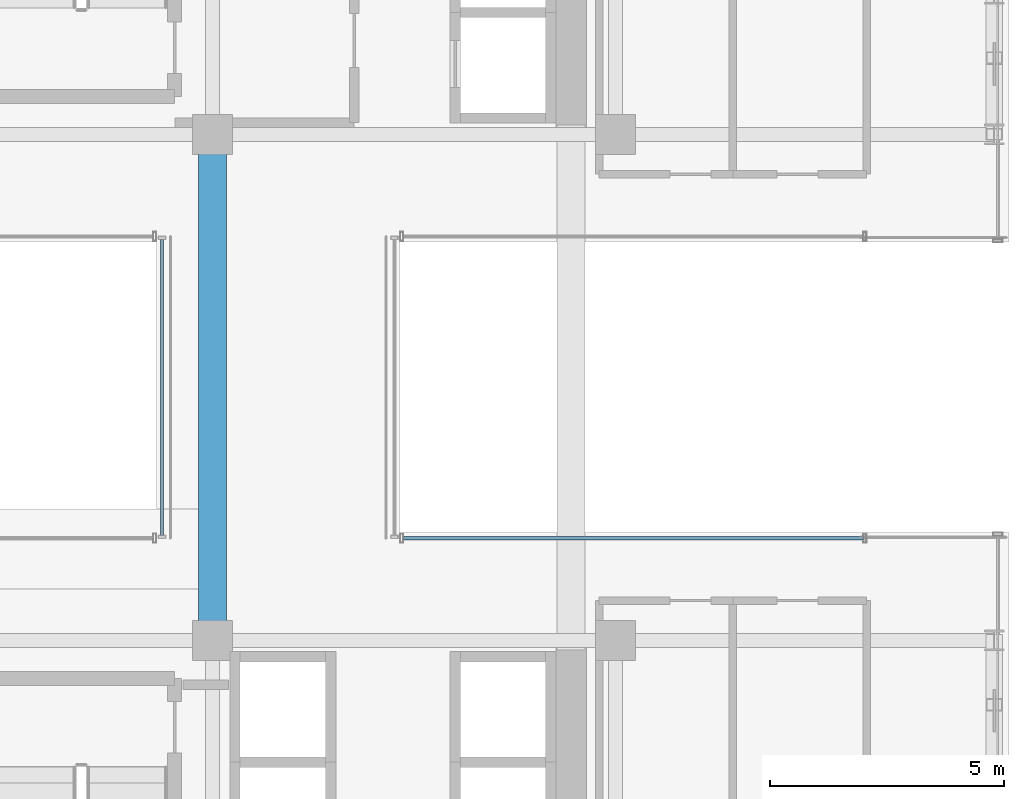
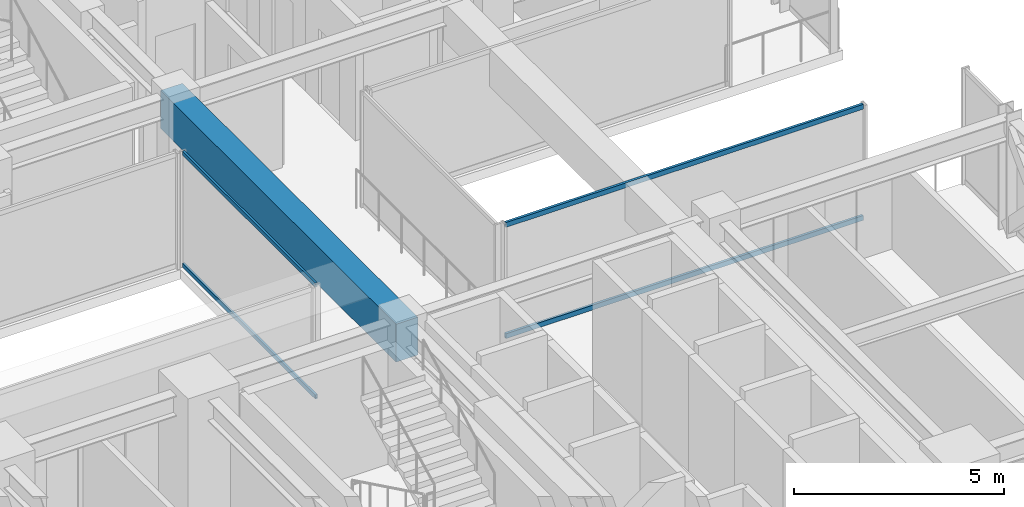
# One storey, part 19 of 42: 4 members, 1 beam, 2 elements without a shape of their own.
"""IFC4 building model written with IfcOpenShell, lengths in metres."""

from ifc_helpers import new_model, si_unit, direction, frame, origin, origin_2d, place, context, subcontext, project, spatial, rectangle, hollow_rectangle, extrude, source, transform, mapped, material, material_profile, profile_set, type_object, element, aggregate, save


model = new_model("IFC4")

# Units and contexts
model_context = context("Model", 3, precision=1e-05, world=origin(), true_north=direction((0.0, 1.0)))
body_context = subcontext(model_context, "Body", "Model", "MODEL_VIEW")
ifc_project = project(units=[si_unit("LENGTHUNIT", "METRE"), si_unit("AREAUNIT", "SQUARE_METRE"), si_unit("VOLUMEUNIT", "CUBIC_METRE"), si_unit("PLANEANGLEUNIT", "RADIAN"), si_unit("MASSUNIT", "GRAM", prefix="KILO")], contexts=[model_context])

# Site, building, storey
site_placement = place(None, origin())
site = spatial("IfcSite", under=ifc_project, at=site_placement, CompositionType="ELEMENT")
building_placement = place(site_placement, origin())
building = spatial("IfcBuilding", under=site, at=building_placement, Name="Nahalor Promenade Grand Hotel", CompositionType="ELEMENT")
storey_placement = place(building_placement, frame((0.0, 0.0, 61.60009765625)))
storey = spatial("IfcBuildingStorey", under=building, at=storey_placement, Name="L14", CompositionType="ELEMENT", Elevation=61.60009765625)

# Beam
ifc_material_1 = material(Name="Concrete B-60 (C50/60)", Category="concrete")
ifc_material_profile_1 = material_profile(ifc_material_1, rectangle(XDim=0.6, YDim=1.1, at=origin_2d()), Name="RC 600x1100")
ifc_profile_set_1 = profile_set([ifc_material_profile_1], Name="Concrete B-60 (C50/60)")
beam_type = type_object("IfcBeamType", Name="Beam-Lintel-RC1100", PredefinedType="LINTEL", material=ifc_profile_set_1)
shared_shape_1 = source(origin(), body_context, "Body", "SweptSolid", [
    extrude(rectangle(XDim=0.6, YDim=1.1, at=origin_2d()), origin(), (0.0, 0.0, 1.0), 11.2001953125),
])
beam_placement = place(storey_placement, frame((8.39990234375, -5.60009765625, 2.81982421875), z_axis=(0.0, 1.0, 0.0), x_axis=(-1.0, 0.0, 0.0)))
element("IfcBeam", 1, at=beam_placement, inside=storey, type_object=beam_type, Name="BM-L14-LINT-W", PredefinedType="LINTEL", context=body_context, shape_type="MappedRepresentation", body=[
    mapped(shared_shape_1, transform((0.0, 0.0, 0.0), scale=1.0)),
])

# Curtain wall, members
ifc_material_2 = material(Name="Anodised Bronze Aluminium EN AW-6063 T6", Category="aluminium")
curtain_wall_type_1 = type_object("IfcCurtainWallType", Name="CW3 Elliptical-Void Collar Unitised Curtain Wall", PredefinedType="USERDEFINED", material=ifc_material_2)
curtain_wall_1_placement = place(storey_placement, origin())
curtain_wall_1 = element("IfcCurtainWall", 2, at=curtain_wall_1_placement, inside=storey, type_object=curtain_wall_type_1, Name="L14 Curtain Wall CW-L14-VOID-ES1", ObjectType="UNITISED_CURTAIN_WALL", PredefinedType="USERDEFINED")
ifc_material_profile_2 = material_profile(ifc_material_2, hollow_rectangle(XDim=0.07, YDim=0.14, WallThickness=0.004, at=origin_2d()), Name="CWT 70x140x4")
ifc_profile_set_2 = profile_set([ifc_material_profile_2], Name="Anodised Bronze Aluminium EN AW-6063 T6")
member_type_1 = type_object("IfcMemberType", Name="CWT3 Void Collar Transom 70x140", PredefinedType="USERDEFINED", material=ifc_profile_set_2)
shared_shape_2 = source(origin(), body_context, "Body", "SweptSolid", [
    extrude(hollow_rectangle(XDim=0.07, YDim=0.14, WallThickness=0.004, at=origin_2d()), origin(), (0.0, 0.0, 1.0), 9.820068359375),
])
member_1_placement = place(storey_placement, frame((12.469970703125, -3.219970703125, 0.06982421875), z_axis=(1.0, 0.0, 0.0), x_axis=(0.0, 1.0, 0.0)))
member_1 = element("IfcMember", 3, at=member_1_placement, type_object=member_type_1, Name="CW-L14-VOID-ES1 Transom 0-0", ObjectType="TRANSOM", PredefinedType="USERDEFINED", context=body_context, shape_type="MappedRepresentation", body=[
    mapped(shared_shape_2, transform((0.0, 0.0, 0.0), scale=1.0)),
])
member_2_placement = place(storey_placement, frame((12.469970703125, -3.219970703125, 3.2998046875), z_axis=(1.0, 0.0, 0.0), x_axis=(0.0, 1.0, 0.0)))
member_2 = element("IfcMember", 4, at=member_2_placement, type_object=member_type_1, Name="CW-L14-VOID-ES1 Transom 0-1", ObjectType="TRANSOM", PredefinedType="USERDEFINED", context=body_context, shape_type="MappedRepresentation", body=[
    mapped(shared_shape_2, transform((0.0, 0.0, 0.0), scale=1.0)),
])
aggregate(curtain_wall_1, [member_1, member_2])

curtain_wall_type_2 = type_object("IfcCurtainWallType", Name="CW4 Low-Iron Sky-Gallery Bridge Curtain Wall", PredefinedType="USERDEFINED", material=ifc_material_2)
curtain_wall_2_placement = place(storey_placement, origin())
curtain_wall_2 = element("IfcCurtainWall", 5, at=curtain_wall_2_placement, inside=storey, type_object=curtain_wall_type_2, Name="L14 Curtain Wall CW-L14-BRG-W", ObjectType="UNITISED_CURTAIN_WALL", PredefinedType="USERDEFINED")
ifc_material_profile_3 = material_profile(ifc_material_2, hollow_rectangle(XDim=0.06, YDim=0.12, WallThickness=0.004, at=origin_2d()), Name="CWT 60x120x4")
ifc_profile_set_3 = profile_set([ifc_material_profile_3], Name="Anodised Bronze Aluminium EN AW-6063 T6")
member_type_2 = type_object("IfcMemberType", Name="CWT4 Sky-Gallery Slim Transom 60x120", PredefinedType="USERDEFINED", material=ifc_profile_set_3)
shared_shape_3 = source(origin(), body_context, "Body", "SweptSolid", [
    extrude(hollow_rectangle(XDim=0.06, YDim=0.12, WallThickness=0.004, at=origin_2d()), origin(), (0.0, 0.0, 1.0), 6.31982421875),
])
member_3_placement = place(storey_placement, frame((7.320068359375, -3.159912109375, 0.059814453125), z_axis=(0.0, 1.0, 0.0), x_axis=(-1.0, 0.0, 0.0)))
member_3 = element("IfcMember", 6, at=member_3_placement, type_object=member_type_2, Name="CW-L14-BRG-W Transom 0-0", ObjectType="TRANSOM", PredefinedType="USERDEFINED", context=body_context, shape_type="MappedRepresentation", body=[
    mapped(shared_shape_3, transform((0.0, 0.0, 0.0), scale=1.0)),
])
member_4_placement = place(storey_placement, frame((7.320068359375, -3.159912109375, 3.309814453125), z_axis=(0.0, 1.0, 0.0), x_axis=(-1.0, 0.0, 0.0)))
member_4 = element("IfcMember", 7, at=member_4_placement, type_object=member_type_2, Name="CW-L14-BRG-W Transom 0-1", ObjectType="TRANSOM", PredefinedType="USERDEFINED", context=body_context, shape_type="MappedRepresentation", body=[
    mapped(shared_shape_3, transform((0.0, 0.0, 0.0), scale=1.0)),
])
aggregate(curtain_wall_2, [member_3, member_4])

save(model, "model.ifc")
